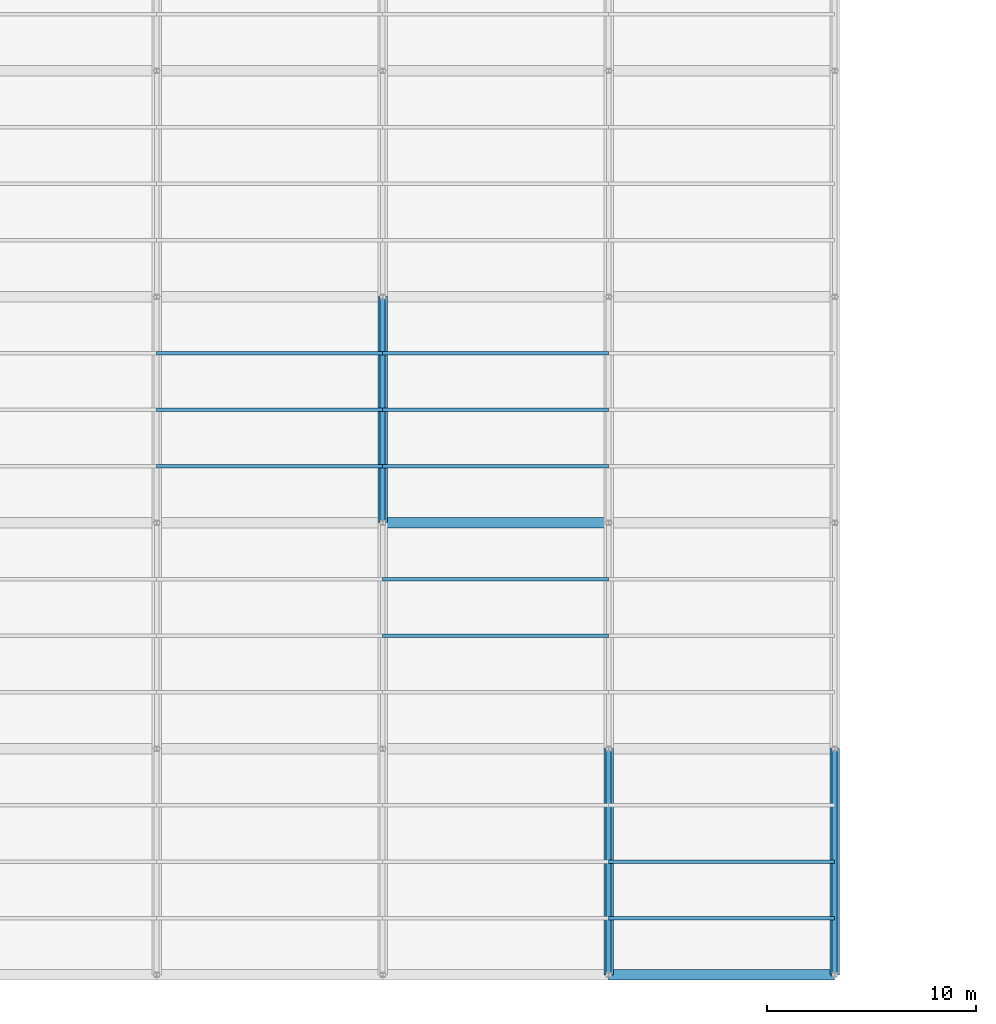
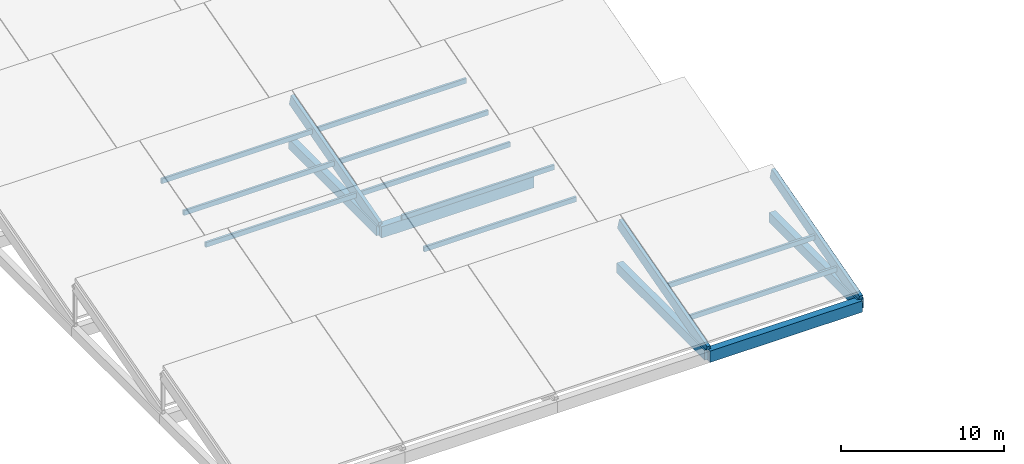
# One storey, part 6 of 112: 13 members, 5 beams.
"""IFC4 building model written with IfcOpenShell, lengths in metres."""

from ifc_helpers import new_model, si_unit, direction, frame, origin, origin_2d, place, context, subcontext, project, spatial, rectangle, extrude, material, material_profile, profile_set, type_object, element, save


model = new_model("IFC4")

# Units and contexts
model_context = context("Model", 3, precision=1e-05, world=origin(), true_north=direction((0.0, 1.0)))
body_context = subcontext(model_context, "Body", "Model", "MODEL_VIEW")
ifc_project = project(units=[si_unit("LENGTHUNIT", "METRE"), si_unit("AREAUNIT", "SQUARE_METRE"), si_unit("VOLUMEUNIT", "CUBIC_METRE"), si_unit("PLANEANGLEUNIT", "RADIAN"), si_unit("MASSUNIT", "GRAM", prefix="KILO")], contexts=[model_context])

# Site, building, storey
site_placement = place(None, origin())
site = spatial("IfcSite", under=ifc_project, at=site_placement, CompositionType="ELEMENT")
building_placement = place(site_placement, origin())
building = spatial("IfcBuilding", under=site, at=building_placement, Name="Zwinboog Wholesale Market", CompositionType="ELEMENT")
storey_placement = place(building_placement, frame((0.0, 0.0, 19.080078125)))
storey = spatial("IfcBuildingStorey", under=building, at=storey_placement, Name="Roof", CompositionType="ELEMENT", Elevation=19.080078125)

# Beams
ifc_material_1 = material(Name="Precast concrete C45/55", Category="concrete")
ifc_material_profile_1 = material_profile(ifc_material_1, rectangle(XDim=0.5, YDim=0.85009765625, at=origin_2d()), Name="PC 500x850")
ifc_profile_set_1 = profile_set([ifc_material_profile_1], Name="Precast concrete C45/55")
beam_type_1 = type_object("IfcBeamType", Name="BT-03", PredefinedType="BEAM", material=ifc_profile_set_1)
beam_1_placement = place(storey_placement, frame((32.39990234375, 0.0, -9.425048828125), z_axis=(1.0, 0.0, 0.0), x_axis=(0.0, 1.0, 0.0)))
element("IfcBeam", 1, at=beam_1_placement, inside=storey, type_object=beam_type_1, Name="BG-03 (BMG-Roof-0324-0000-1150)", PredefinedType="BEAM", context=body_context, shape_type="SweptSolid", body=[
    extrude(rectangle(XDim=0.5, YDim=0.85009765625, at=origin_2d()), origin(), (0.0, 0.0, 1.0), 10.800048828125),
])
beam_2_placement = place(storey_placement, frame((21.60009765625, 21.60009765625, -9.425048828125), z_axis=(1.0, 0.0, 0.0), x_axis=(0.0, 1.0, 0.0)))
element("IfcBeam", 2, at=beam_2_placement, inside=storey, type_object=beam_type_1, Name="BG-03 (BMG-Roof-0216-0216-1157)", PredefinedType="BEAM", context=body_context, shape_type="SweptSolid", body=[
    extrude(rectangle(XDim=0.5, YDim=0.85009765625, at=origin_2d()), origin(), (0.0, 0.0, 1.0), 10.7998046875),
])
ifc_material_profile_2 = material_profile(ifc_material_1, rectangle(XDim=0.449951171875, YDim=0.75, at=origin_2d()), Name="PC 450x750")
ifc_profile_set_2 = profile_set([ifc_material_profile_2], Name="Precast concrete C45/55")
beam_type_2 = type_object("IfcBeamType", Name="BT-04", PredefinedType="BEAM", material=ifc_profile_set_2)
beam_3_placement = place(storey_placement, frame((21.60009765625, 21.60009765625, -9.375), z_axis=(0.0, 1.0, 0.0), x_axis=(-1.0, 0.0, 0.0)))
element("IfcBeam", 3, at=beam_3_placement, inside=storey, type_object=beam_type_2, Name="BG-04 (BMG-Roof-0216-0216-1223)", PredefinedType="BEAM", context=body_context, shape_type="SweptSolid", body=[
    extrude(rectangle(XDim=0.449951171875, YDim=0.75, at=origin_2d()), origin(), (0.0, 0.0, 1.0), 10.7998046875),
])
for number, where, z_axis, x_axis, name in (
    (4, (32.39990234375, 0.0, -9.375), (0.0, 1.0, 0.0), (-1.0, 0.0, 0.0), "BG-04 (BMG-Roof-0324-0000-1231)"),
    (5, (43.199951171875, 0.0, -9.375), (0.0, 1.0, 0.0), (-1.0, 0.0, 0.0), "BG-04 (BMG-Roof-0432-0000-1241)"),
):
    element("IfcBeam", number, at=place(storey_placement, frame(where, z_axis=z_axis, x_axis=x_axis)), inside=storey, type_object=beam_type_2, Name=name, PredefinedType="BEAM", context=body_context, shape_type="SweptSolid", body=[
        extrude(rectangle(XDim=0.449951171875, YDim=0.75, at=origin_2d()), origin(), (0.0, 0.0, 1.0), 10.800048828125),
    ])

# Members
ifc_material_2 = material(Name="Glulam GL28h", Category="wood")
ifc_material_profile_3 = material_profile(ifc_material_2, rectangle(XDim=0.239990234375, YDim=0.840087890625, at=origin_2d()), Name="GL28h 240x840")
ifc_profile_set_3 = profile_set([ifc_material_profile_3], Name="Glulam GL28h")
member_type_1 = type_object("IfcMemberType", Name="MT-09", PredefinedType="RAFTER", material=ifc_profile_set_3)
for number, where, z_axis, x_axis, name in (
    (6, (32.39990234375, 0.0, -9.11328125), (0.0, 0.963518221675, 0.26764274042), (-1.0, 0.0, 0.0), "GR-01 (MEM-Roof-0678)"),
    (7, (43.199951171875, 0.0, -9.11328125), (0.0, 0.963518221675, 0.26764274042), (-1.0, 0.0, 0.0), "GR-01 (MEM-Roof-0681)"),
):
    element("IfcMember", number, at=place(storey_placement, frame(where, z_axis=z_axis, x_axis=x_axis)), inside=storey, type_object=member_type_1, Name=name, PredefinedType="RAFTER", context=body_context, shape_type="SweptSolid", body=[
        extrude(rectangle(XDim=0.239990234375, YDim=0.840087890625, at=origin_2d()), origin(), (0.0, 0.0, 1.0), 11.208984375),
    ])
member_1_placement = place(storey_placement, frame((21.60009765625, 21.60009765625, -9.125732421875), z_axis=(0.0, 0.963516661409, 0.267648357342), x_axis=(-1.0, 0.0, 0.0)))
element("IfcMember", 8, at=member_1_placement, inside=storey, type_object=member_type_1, Name="GR-01 (MEM-Roof-0711)", PredefinedType="RAFTER", context=body_context, shape_type="SweptSolid", body=[
    extrude(rectangle(XDim=0.239990234375, YDim=0.840087890625, at=origin_2d()), origin(), (0.0, 0.0, 1.0), 11.208740234375),
])
ifc_material_profile_4 = material_profile(ifc_material_2, rectangle(XDim=0.159912109375, YDim=0.360107421875, at=origin_2d()), Name="GL28h 160x360")
ifc_profile_set_4 = profile_set([ifc_material_profile_4], Name="Glulam GL28h")
member_type_2 = type_object("IfcMemberType", Name="MT-12", PredefinedType="PURLIN", material=ifc_profile_set_4)
member_2_placement = place(storey_placement, frame((32.39990234375, 2.699951171875, -8.333251953125), z_axis=(1.0, 0.0, 0.0), x_axis=(0.0, 1.0, 0.0)))
element("IfcMember", 9, at=member_2_placement, inside=storey, type_object=member_type_2, Name="GP-01 (MEM-Roof-0682)", PredefinedType="PURLIN", context=body_context, shape_type="SweptSolid", body=[
    extrude(rectangle(XDim=0.159912109375, YDim=0.360107421875, at=origin_2d()), origin(), (0.0, 0.0, 1.0), 10.800048828125),
])
member_3_placement = place(storey_placement, frame((21.60009765625, 18.89990234375, -6.785888671875), z_axis=(1.0, 0.0, 0.0), x_axis=(0.0, 1.0, 0.0)))
element("IfcMember", 10, at=member_3_placement, inside=storey, type_object=member_type_2, Name="GP-01 (MEM-Roof-0695)", PredefinedType="PURLIN", context=body_context, shape_type="SweptSolid", body=[
    extrude(rectangle(XDim=0.159912109375, YDim=0.360107421875, at=origin_2d()), origin(), (0.0, 0.0, 1.0), 10.7998046875),
])
for number, where, z_axis, x_axis, name in (
    (11, (10.800048828125, 24.300048828125, -8.333251953125), (1.0, 0.0, 0.0), (0.0, 1.0, 0.0), "GP-01 (MEM-Roof-0708)"),
    (12, (10.800048828125, 29.699951171875, -6.833251953125), (1.0, 0.0, 0.0), (0.0, 1.0, 0.0), "GP-01 (MEM-Roof-0709)"),
):
    element("IfcMember", number, at=place(storey_placement, frame(where, z_axis=z_axis, x_axis=x_axis)), inside=storey, type_object=member_type_2, Name=name, PredefinedType="PURLIN", context=body_context, shape_type="SweptSolid", body=[
        extrude(rectangle(XDim=0.159912109375, YDim=0.360107421875, at=origin_2d()), origin(), (0.0, 0.0, 1.0), 10.800048828125),
    ])
for number, where, z_axis, x_axis, name in (
    (13, (21.60009765625, 24.300048828125, -8.345703125), (1.0, 0.0, 0.0), (0.0, 1.0, 0.0), "GP-01 (MEM-Roof-0712)"),
    (14, (21.60009765625, 29.699951171875, -6.845703125), (1.0, 0.0, 0.0), (0.0, 1.0, 0.0), "GP-01 (MEM-Roof-0713)"),
):
    element("IfcMember", number, at=place(storey_placement, frame(where, z_axis=z_axis, x_axis=x_axis)), inside=storey, type_object=member_type_2, Name=name, PredefinedType="PURLIN", context=body_context, shape_type="SweptSolid", body=[
        extrude(rectangle(XDim=0.159912109375, YDim=0.360107421875, at=origin_2d()), origin(), (0.0, 0.0, 1.0), 10.7998046875),
    ])
member_4_placement = place(storey_placement, frame((32.39990234375, 5.39990234375, -7.583251953125), z_axis=(1.0, 0.0, 0.0), x_axis=(0.0, 1.0, 0.0)))
element("IfcMember", 15, at=member_4_placement, inside=storey, type_object=member_type_2, Name="GP-01 (MEM-PRL-Roof-0004)", PredefinedType="PURLIN", context=body_context, shape_type="SweptSolid", body=[
    extrude(rectangle(XDim=0.159912109375, YDim=0.360107421875, at=origin_2d()), origin(), (0.0, 0.0, 1.0), 10.800048828125),
])
member_5_placement = place(storey_placement, frame((21.60009765625, 16.199951171875, -7.535888671875), z_axis=(1.0, 0.0, 0.0), x_axis=(0.0, 1.0, 0.0)))
element("IfcMember", 16, at=member_5_placement, inside=storey, type_object=member_type_2, Name="GP-01 (MEM-PRL-Roof-0007)", PredefinedType="PURLIN", context=body_context, shape_type="SweptSolid", body=[
    extrude(rectangle(XDim=0.159912109375, YDim=0.360107421875, at=origin_2d()), origin(), (0.0, 0.0, 1.0), 10.7998046875),
])
member_6_placement = place(storey_placement, frame((10.800048828125, 27.0, -7.583251953125), z_axis=(1.0, 0.0, 0.0), x_axis=(0.0, 1.0, 0.0)))
element("IfcMember", 17, at=member_6_placement, inside=storey, type_object=member_type_2, Name="GP-01 (MEM-PRL-Roof-0010)", PredefinedType="PURLIN", context=body_context, shape_type="SweptSolid", body=[
    extrude(rectangle(XDim=0.159912109375, YDim=0.360107421875, at=origin_2d()), origin(), (0.0, 0.0, 1.0), 10.800048828125),
])
member_7_placement = place(storey_placement, frame((21.60009765625, 27.0, -7.595703125), z_axis=(1.0, 0.0, 0.0), x_axis=(0.0, 1.0, 0.0)))
element("IfcMember", 18, at=member_7_placement, inside=storey, type_object=member_type_2, Name="GP-01 (MEM-PRL-Roof-0011)", PredefinedType="PURLIN", context=body_context, shape_type="SweptSolid", body=[
    extrude(rectangle(XDim=0.159912109375, YDim=0.360107421875, at=origin_2d()), origin(), (0.0, 0.0, 1.0), 10.7998046875),
])

save(model, "model.ifc")
